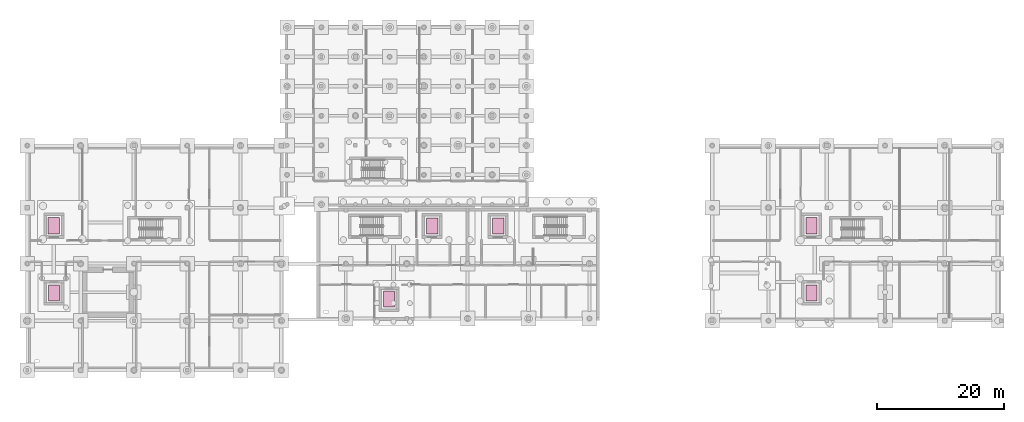
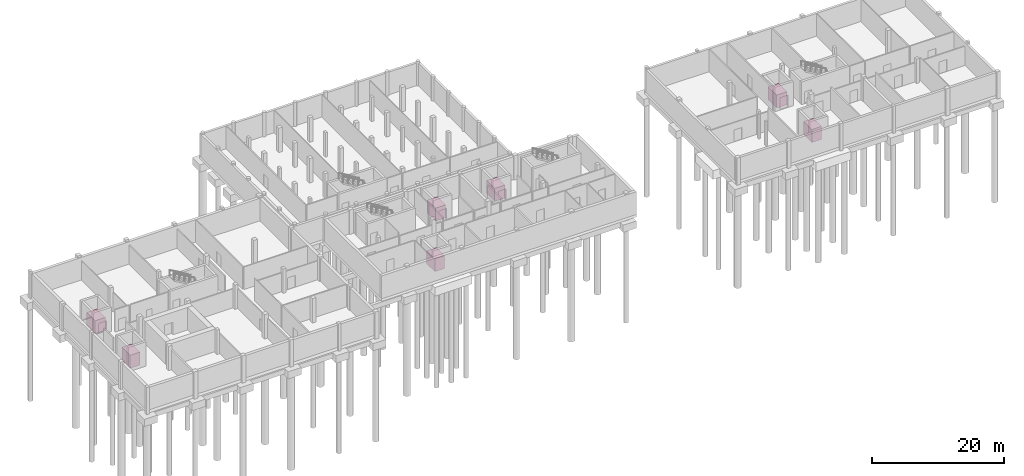
# One storey, part 14 of 14: 7 transport elements.
"""IFC4 building model written with IfcOpenShell, lengths in metres."""

from ifc_helpers import new_model, si_unit, direction, frame, origin, origin_2d, place, context, subcontext, project, spatial, rectangle, extrude, material, type_object, element, save


model = new_model("IFC4")

# Units and contexts
model_context = context("Model", 3, precision=1e-05, world=origin(), true_north=direction((0.0, 1.0)))
body_context = subcontext(model_context, "Body", "Model", "MODEL_VIEW")
ifc_project = project(units=[si_unit("LENGTHUNIT", "METRE"), si_unit("AREAUNIT", "SQUARE_METRE"), si_unit("VOLUMEUNIT", "CUBIC_METRE"), si_unit("PLANEANGLEUNIT", "RADIAN"), si_unit("MASSUNIT", "GRAM", prefix="KILO")], contexts=[model_context])

# Site, building, storey
site_placement = place(None, origin())
site = spatial("IfcSite", under=ifc_project, at=site_placement, CompositionType="ELEMENT")
building_placement = place(site_placement, origin())
building = spatial("IfcBuilding", under=site, at=building_placement, Name="Birchvale Park Specialist Clinic", CompositionType="ELEMENT")
storey_placement = place(building_placement, frame((0.0, 0.0, -4.5)))
storey = spatial("IfcBuildingStorey", under=building, at=storey_placement, Name="B1", CompositionType="ELEMENT", Elevation=-4.5)

# Transport elements
ifc_material = material(Name="Brushed stainless steel elevator cab", Category="steel")
transport_element_type_1 = type_object("IfcTransportElementType", Name="LFT-LF", PredefinedType="ELEVATOR", material=ifc_material)
for number, where, z_axis, x_axis, name in (
    (1, (75.0, 31.75, 0.0), (0.0, 0.0, 1.0), (1.0, 0.0, 0.0), "Elevator LF1 cab"),
    (2, (85.39990234375, 31.75, 0.0), (0.0, 0.0, 1.0), (1.0, 0.0, 0.0), "Elevator LF2 cab"),
):
    element("IfcTransportElement", number, at=place(storey_placement, frame(where, z_axis=z_axis, x_axis=x_axis)), inside=storey, type_object=transport_element_type_1, Name=name, PredefinedType="ELEVATOR", context=body_context, shape_type="SweptSolid", body=[
        extrude(rectangle(XDim=1.800048828125, YDim=2.5, at=origin_2d()), origin(), (0.0, 0.0, 1.0), 2.39990234375),
    ])
transport_element_type_2 = type_object("IfcTransportElementType", Name="LFT-LP", PredefinedType="ELEVATOR", material=ifc_material)
for number, where, z_axis, x_axis, name in (
    (3, (68.199951171875, 20.199951171875, 0.0), (0.0, 0.0, 1.0), (1.0, 0.0, 0.0), "Elevator LP1 cab"),
    (4, (15.39990234375, 21.199951171875, 0.0), (0.0, 0.0, 1.0), (1.0, 0.0, 0.0), "Elevator LP3 cab"),
    (5, (134.800048828125, 21.199951171875, 0.0), (0.0, 0.0, 1.0), (1.0, 0.0, 0.0), "Elevator LP4 cab"),
):
    element("IfcTransportElement", number, at=place(storey_placement, frame(where, z_axis=z_axis, x_axis=x_axis)), inside=storey, type_object=transport_element_type_2, Name=name, PredefinedType="ELEVATOR", context=body_context, shape_type="SweptSolid", body=[
        extrude(rectangle(XDim=1.699951171875, YDim=2.5, at=origin_2d()), origin(), (0.0, 0.0, 1.0), 2.39990234375),
    ])
transport_element_type_3 = type_object("IfcTransportElementType", Name="LFT-LS", PredefinedType="ELEVATOR", material=ifc_material)
for number, where, z_axis, x_axis, name in (
    (6, (15.39990234375, 31.800048828125, 0.0), (0.0, 0.0, 1.0), (1.0, 0.0, 0.0), "Elevator LS1 cab"),
    (7, (134.800048828125, 31.800048828125, 0.0), (0.0, 0.0, 1.0), (1.0, 0.0, 0.0), "Elevator LS2 cab"),
):
    element("IfcTransportElement", number, at=place(storey_placement, frame(where, z_axis=z_axis, x_axis=x_axis)), inside=storey, type_object=transport_element_type_3, Name=name, PredefinedType="ELEVATOR", context=body_context, shape_type="SweptSolid", body=[
        extrude(rectangle(XDim=1.800048828125, YDim=2.60009765625, at=origin_2d()), origin(), (0.0, 0.0, 1.0), 2.39990234375),
    ])

save(model, "model.ifc")
